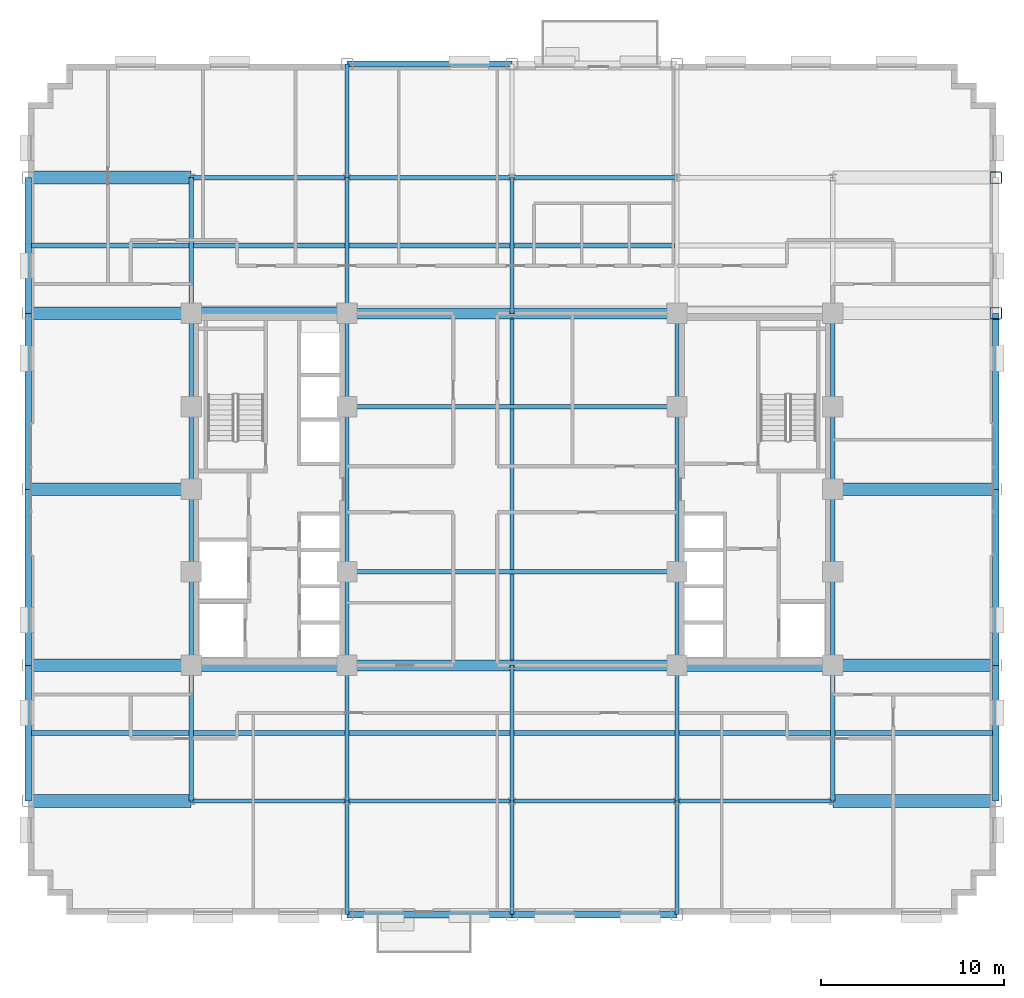
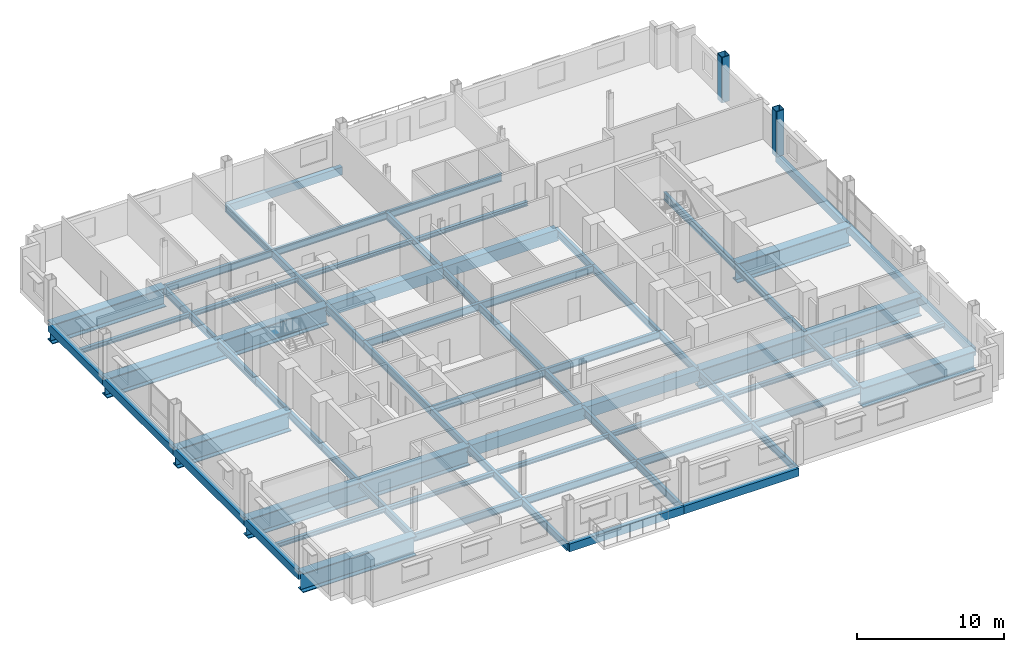
# One storey, part 4 of 16: 68 beams, 2 columns.
"""IFC4 building model written with IfcOpenShell, lengths in metres."""

import ifcopenshell
import ifcopenshell.guid

model = None  # the IFC model being written
_history = None  # IfcOwnerHistory: only IFC2X3 demands one
_inside = {}  # id of a spatial element -> (the spatial element, [elements in it])
_under = {}  # id of a project, library or spatial element -> (it, [spatial elements below it])
_declared = {}  # id of a project -> (the project, [libraries it declares])
_typed = {}  # id of a type object -> (the type object, [elements of that type])
_made_of = {}  # id of a material, layer set ... -> (it, [elements and type objects made of it])


def new_model(schema):
    """Start an empty IFC model of exactly this schema.

    Asked for "IFC4X3", IfcOpenShell would pick the latest addendum, in which some entities
    have other attributes; the version numbers below select the first issue.
    IFC2X3 requires an IfcOwnerHistory on every rooted entity: one is made here for all.
    """
    global model, _history
    if schema == "IFC4X3":
        model = ifcopenshell.file(schema_version=(4, 3, 0, 0))
    else:
        model = ifcopenshell.file(schema=schema)
    _inside.clear()
    _under.clear()
    _declared.clear()
    _typed.clear()
    _made_of.clear()
    _history = None
    if model.schema == "IFC2X3":
        org = make("IfcOrganization", Name="unknown")
        user = make(
            "IfcPersonAndOrganization",
            ThePerson=make("IfcPerson", FamilyName="unknown"),
            TheOrganization=org,
        )
        app = make(
            "IfcApplication",
            ApplicationDeveloper=org,
            Version="unknown",
            ApplicationFullName="unknown",
            ApplicationIdentifier="unknown",
        )
        _history = make(
            "IfcOwnerHistory",
            OwningUser=user,
            OwningApplication=app,
            ChangeAction="ADDED",
            CreationDate=0,
        )
    return model


def make(cls, **values):
    """One entity of the class cls with the attributes given. An attribute that is None is left unset."""
    return model.create_entity(
        cls, **{name: value for name, value in values.items() if value is not None}
    )


def rooted(cls, **values):
    """An entity with a GlobalId (a new one), such as an element, a storey or a relation."""
    return make(cls, GlobalId=ifcopenshell.guid.new(), OwnerHistory=_history, **values)


def si_unit(unit_type, name, prefix=None):
    """IfcSIUnit, for example si_unit("LENGTHUNIT", "METRE", prefix="MILLI")."""
    return make("IfcSIUnit", UnitType=unit_type, Prefix=prefix, Name=name)


def assignment(units):
    """IfcUnitAssignment: the units of a project."""
    return None if units is None else make("IfcUnitAssignment", Units=units)


def point(xyz):
    """IfcCartesianPoint."""
    return None if xyz is None else make("IfcCartesianPoint", Coordinates=xyz)


def direction(xyz):
    """IfcDirection."""
    return None if xyz is None else make("IfcDirection", DirectionRatios=xyz)


def frame(location, z_axis=None, x_axis=None):
    """IfcAxis2Placement3D, a coordinate frame: its origin and axes. An axis left out is left unset."""
    return make(
        "IfcAxis2Placement3D",
        Location=point(location),
        Axis=direction(z_axis),
        RefDirection=direction(x_axis),
    )


def frame_2d(location, x_axis=None):
    """IfcAxis2Placement2D, a coordinate frame in the plane: its origin and x axis."""
    return make(
        "IfcAxis2Placement2D", Location=point(location), RefDirection=direction(x_axis)
    )


def origin():
    """The frame at (0, 0, 0) with its axes left unset."""
    return frame((0.0, 0.0, 0.0))


def origin_2d():
    """The frame at (0, 0) in the plane with its x axis left unset."""
    return frame_2d((0.0, 0.0))


def place(relative_to, where):
    """IfcLocalPlacement: puts the frame where relative to a parent placement (None: the world)."""
    return make(
        "IfcLocalPlacement", PlacementRelTo=relative_to, RelativePlacement=where
    )


def context(
    kind, dimensions, precision=None, world=None, true_north=None, identifier=None
):
    """IfcGeometricRepresentationContext, for example the 3D "Model" context."""
    return make(
        "IfcGeometricRepresentationContext",
        ContextIdentifier=identifier,
        ContextType=kind,
        CoordinateSpaceDimension=dimensions,
        Precision=precision,
        WorldCoordinateSystem=world,
        TrueNorth=true_north,
    )


def subcontext(parent, identifier, kind, view, scale=None):
    """IfcGeometricRepresentationSubContext, for example "Body" below "Model"."""
    return make(
        "IfcGeometricRepresentationSubContext",
        ContextIdentifier=identifier,
        ContextType=kind,
        ParentContext=parent,
        TargetScale=scale,
        TargetView=view,
    )


def project(units=None, contexts=None):
    """IfcProject with its units and contexts."""
    return rooted(
        "IfcProject",
        Name="project",
        RepresentationContexts=contexts,
        UnitsInContext=assignment(units),
    )


def spatial(cls, under=None, at=None, **own):
    """A site, building, storey or space (cls), placed at a placement, below another one or the project."""
    s = rooted(cls, ObjectPlacement=at, **own)
    if under is not None:
        _under.setdefault(under.id(), (under, []))[1].append(s)
    return s


def profile(cls, at=None, kind="AREA", **sizes):
    """A parametric profile (cls). Its sizes go by their IFC names, for example OverallWidth=200.0."""
    return make(cls, ProfileType=kind, Position=at, **sizes)


def rectangle(**sizes):
    """IfcRectangleProfileDef."""
    return profile("IfcRectangleProfileDef", **sizes)


def hollow_rectangle(**sizes):
    """IfcRectangleHollowProfileDef."""
    return profile("IfcRectangleHollowProfileDef", **sizes)


def i_section(**sizes):
    """IfcIShapeProfileDef."""
    return profile("IfcIShapeProfileDef", **sizes)


def extrude(swept, where, along, depth):
    """IfcExtrudedAreaSolid: the profile swept, set in the frame where, extruded along a direction by depth."""
    return make(
        "IfcExtrudedAreaSolid",
        SweptArea=swept,
        Position=where,
        ExtrudedDirection=direction(along),
        Depth=depth,
    )


def shape(context_of_items, identifier, shape_type, items):
    """IfcShapeRepresentation: the items that make up one representation, for example the "Body"."""
    return make(
        "IfcShapeRepresentation",
        ContextOfItems=context_of_items,
        RepresentationIdentifier=identifier,
        RepresentationType=shape_type,
        Items=items,
    )


def material(Name=None, Category=None):
    """IfcMaterial."""
    return make("IfcMaterial", Name=Name, Category=Category)


def material_profile(
    of_material, cross_section, Name=None, Category=None, Priority=None
):
    """IfcMaterialProfile: a cross section and its material."""
    return make(
        "IfcMaterialProfile",
        Name=Name,
        Material=of_material,
        Profile=cross_section,
        Priority=Priority,
        Category=Category,
    )


def profile_set(profiles, Name=None, composite=None):
    """IfcMaterialProfileSet."""
    return make(
        "IfcMaterialProfileSet",
        Name=Name,
        MaterialProfiles=profiles,
        CompositeProfile=composite,
    )


def made_of(thing, what):
    """Note that an element or type object is made of a material, layer set ...; save() writes the relation."""
    if what is not None:
        _made_of.setdefault(what.id(), (what, []))[1].append(thing)
    return thing


def type_object(cls, material=None, **own):
    """A type object (cls), such as IfcWallType, which elements share."""
    return made_of(rooted(cls, **own), material)


def element(
    cls,
    number,
    at=None,
    inside=None,
    cuts=None,
    type_object=None,
    material=None,
    context=None,
    identifier="Body",
    shape_type=None,
    held_by="IfcProductDefinitionShape",
    body=None,
    shapes=None,
    **own,
):
    """One element of the class cls, such as IfcWall. Its Tag is "e" and its number.

    at: its placement. inside: the storey or other place that contains it. cuts: it is an
    opening in that element (IfcRelVoidsElement). A single representation is given by context,
    identifier, shape_type and body (its items); several are given by shapes. held_by: the class
    of the entity that holds the representations. save() writes the other relations.
    """
    e = rooted(cls, Tag="e%d" % number, ObjectPlacement=at, **own)
    if body is not None:
        shapes = [shape(context, identifier, shape_type, body)]
    if shapes is not None:
        e.Representation = make(held_by, Representations=shapes)
    if inside is not None:
        _inside.setdefault(inside.id(), (inside, []))[1].append(e)
    if cuts is not None:
        rooted(
            "IfcRelVoidsElement", RelatingBuildingElement=cuts, RelatedOpeningElement=e
        )
    if type_object is not None:
        _typed.setdefault(type_object.id(), (type_object, []))[1].append(e)
    return made_of(e, material)


def aggregate(whole, parts):
    """IfcRelAggregates: a whole, such as a stair, and the parts it consists of."""
    return rooted("IfcRelAggregates", RelatingObject=whole, RelatedObjects=parts)


def save(model, path):
    """Write the relations noted so far, then the file.

    IfcRelAggregates (storeys below a building ...), IfcRelContainedInSpatialStructure (elements
    in a storey), IfcRelDefinesByType, IfcRelAssociatesMaterial and IfcRelDeclares: one each for
    every whole, place, type object, material and project.
    """
    for whole, parts in _under.values():
        aggregate(whole, parts)
    for where, things in _inside.values():
        rooted(
            "IfcRelContainedInSpatialStructure",
            RelatedElements=things,
            RelatingStructure=where,
        )
    for kind, things in _typed.values():
        rooted("IfcRelDefinesByType", RelatedObjects=things, RelatingType=kind)
    for what, things in _made_of.values():
        rooted("IfcRelAssociatesMaterial", RelatedObjects=things, RelatingMaterial=what)
    for by, libraries in _declared.values():
        rooted("IfcRelDeclares", RelatingContext=by, RelatedDefinitions=libraries)
    model.write(path)


model = new_model("IFC4")

# Units and contexts
model_context = context("Model", 3, precision=1e-05, world=origin(), true_north=direction((0.0, 1.0)))
body_context = subcontext(model_context, "Body", "Model", "MODEL_VIEW")
ifc_project = project(units=[si_unit("LENGTHUNIT", "METRE"), si_unit("AREAUNIT", "SQUARE_METRE"), si_unit("VOLUMEUNIT", "CUBIC_METRE"), si_unit("PLANEANGLEUNIT", "RADIAN"), si_unit("MASSUNIT", "GRAM", prefix="KILO")], contexts=[model_context])

# Site, building, storey
site_placement = place(None, origin())
site = spatial("IfcSite", under=ifc_project, at=site_placement, CompositionType="ELEMENT")
building_placement = place(site_placement, origin())
building = spatial("IfcBuilding", under=site, at=building_placement, Name="Nuvemarco Arch Tower", CompositionType="ELEMENT")
storey_placement = place(building_placement, frame((0.0, 0.0, 116.550048828125)))
storey = spatial("IfcBuildingStorey", under=building, at=storey_placement, Name="L30", CompositionType="ELEMENT", Elevation=116.550048828125)

# Columns
ifc_material_1 = material(Name="Steel S355", Category="steel")
ifc_material_profile_1 = material_profile(ifc_material_1, hollow_rectangle(XDim=0.64990234375, YDim=0.64990234375, WallThickness=0.0400390625, InnerFilletRadius=0.0400390625, OuterFilletRadius=0.080078125, at=origin_2d()), Name="SHS650x650x40")
ifc_profile_set_1 = profile_set([ifc_material_profile_1], Name="Steel S355")
column_type = type_object("IfcColumnType", Name="COL-EXO-650", PredefinedType="COLUMN", material=ifc_profile_set_1)
for number, where, z_axis, x_axis, name in (
    (1, (26.39990234375, 9.60009765625, -0.400146484375), (0.0, 0.0, 1.0), (1.0, 0.0, 0.0), "L30 column CX_+26.4_+9.6"),
    (2, (26.39990234375, 17.0, -0.400146484375), (0.0, 0.0, 1.0), (1.0, 0.0, 0.0), "L30 column CX_+26.4_+17.0"),
):
    element("IfcColumn", number, at=place(storey_placement, frame(where, z_axis=z_axis, x_axis=x_axis)), inside=storey, type_object=column_type, Name=name, PredefinedType="COLUMN", context=body_context, shape_type="SweptSolid", body=[
        extrude(hollow_rectangle(XDim=0.64990234375, YDim=0.64990234375, WallThickness=0.0400390625, InnerFilletRadius=0.0400390625, OuterFilletRadius=0.080078125, at=origin_2d()), origin(), (0.0, 0.0, 1.0), 3.77001953125),
    ])

# Beams
ifc_material_2 = material(Name="Concrete C60/75", Category="concrete")
ifc_material_profile_2 = material_profile(ifc_material_2, rectangle(XDim=0.60009765625, YDim=0.949951171875, at=origin_2d()), Name="RC-BM-600x950")
ifc_profile_set_2 = profile_set([ifc_material_profile_2], Name="Concrete C60/75")
beam_type_1 = type_object("IfcBeamType", Name="BM-COUP-RC", PredefinedType="LINTEL", material=ifc_profile_set_2)
for number, where, z_axis, x_axis, name in (
    (3, (-9.0, -9.60009765625, -0.875), (1.0, 0.0, 0.0), (0.0, 1.0, 0.0), "L30 structural beam BGEW_L30_0_-9.6_-9.0"),
    (4, (0.0, -9.60009765625, -0.875), (1.0, 0.0, 0.0), (0.0, 1.0, 0.0), "L30 structural beam BGEW_L30_0_-9.6_+0.0"),
    (5, (-9.0, 9.60009765625, -0.875), (1.0, 0.0, 0.0), (0.0, 1.0, 0.0), "L30 structural beam BGEW_L30_0_+9.6_-9.0"),
    (6, (0.0, 9.60009765625, -0.875), (1.0, 0.0, 0.0), (0.0, 1.0, 0.0), "L30 structural beam BGEW_L30_0_+9.6_+0.0"),
):
    element("IfcBeam", number, at=place(storey_placement, frame(where, z_axis=z_axis, x_axis=x_axis)), inside=storey, type_object=beam_type_1, Name=name, PredefinedType="LINTEL", context=body_context, shape_type="SweptSolid", body=[
        extrude(rectangle(XDim=0.60009765625, YDim=0.949951171875, at=origin_2d()), origin(), (0.0, 0.0, 1.0), 9.0),
    ])
ifc_material_profile_3 = material_profile(ifc_material_1, i_section(OverallWidth=0.22998046875, OverallDepth=0.616943359375, WebThickness=0.01318359375, FlangeThickness=0.022216796875, FilletRadius=0.01611328125, at=origin_2d()), Name="W610x140")
ifc_profile_set_3 = profile_set([ifc_material_profile_3], Name="Steel S355")
beam_type_2 = type_object("IfcBeamType", Name="BM-GIRD-610", PredefinedType="BEAM", material=ifc_profile_set_3)
beam_1_placement = place(storey_placement, frame((-17.5, -17.0, -0.70849609375), z_axis=(0.0, 1.0, 0.0), x_axis=(-1.0, 0.0, 0.0)))
element("IfcBeam", 7, at=beam_1_placement, inside=storey, type_object=beam_type_2, Name="L30 structural beam BGNS_L30_0_-17.5_-17.0", PredefinedType="BEAM", context=body_context, shape_type="SweptSolid", body=[
    extrude(i_section(OverallWidth=0.22998046875, OverallDepth=0.616943359375, WebThickness=0.01318359375, FlangeThickness=0.022216796875, FilletRadius=0.01611328125, at=origin_2d()), origin(), (0.0, 0.0, 1.0), 7.39990234375),
])
beam_2_placement = place(storey_placement, frame((-17.5, -9.60009765625, -0.70849609375), z_axis=(0.0, 1.0, 0.0), x_axis=(-1.0, 0.0, 0.0)))
element("IfcBeam", 8, at=beam_2_placement, inside=storey, type_object=beam_type_2, Name="L30 structural beam BGNS_L30_0_-17.5_-9.6", PredefinedType="BEAM", context=body_context, shape_type="SweptSolid", body=[
    extrude(i_section(OverallWidth=0.22998046875, OverallDepth=0.616943359375, WebThickness=0.01318359375, FlangeThickness=0.022216796875, FilletRadius=0.01611328125, at=origin_2d()), origin(), (0.0, 0.0, 1.0), 5.10009765625),
])
for number, where, z_axis, x_axis, name in (
    (9, (-17.5, -4.5, -0.70849609375), (0.0, 1.0, 0.0), (-1.0, 0.0, 0.0), "L30 structural beam BGNS_L30_0_-17.5_-4.5"),
    (10, (-17.5, 0.0, -0.70849609375), (0.0, 1.0, 0.0), (-1.0, 0.0, 0.0), "L30 structural beam BGNS_L30_0_-17.5_+0.0"),
):
    element("IfcBeam", number, at=place(storey_placement, frame(where, z_axis=z_axis, x_axis=x_axis)), inside=storey, type_object=beam_type_2, Name=name, PredefinedType="BEAM", context=body_context, shape_type="SweptSolid", body=[
        extrude(i_section(OverallWidth=0.22998046875, OverallDepth=0.616943359375, WebThickness=0.01318359375, FlangeThickness=0.022216796875, FilletRadius=0.01611328125, at=origin_2d()), origin(), (0.0, 0.0, 1.0), 4.5),
    ])
beam_3_placement = place(storey_placement, frame((-17.5, 4.5, -0.70849609375), z_axis=(0.0, 1.0, 0.0), x_axis=(-1.0, 0.0, 0.0)))
element("IfcBeam", 11, at=beam_3_placement, inside=storey, type_object=beam_type_2, Name="L30 structural beam BGNS_L30_0_-17.5_+4.5", PredefinedType="BEAM", context=body_context, shape_type="SweptSolid", body=[
    extrude(i_section(OverallWidth=0.22998046875, OverallDepth=0.616943359375, WebThickness=0.01318359375, FlangeThickness=0.022216796875, FilletRadius=0.01611328125, at=origin_2d()), origin(), (0.0, 0.0, 1.0), 5.10009765625),
])
beam_4_placement = place(storey_placement, frame((-17.5, 9.60009765625, -0.70849609375), z_axis=(0.0, 1.0, 0.0), x_axis=(-1.0, 0.0, 0.0)))
element("IfcBeam", 12, at=beam_4_placement, inside=storey, type_object=beam_type_2, Name="L30 structural beam BGNS_L30_0_-17.5_+9.6", PredefinedType="BEAM", context=body_context, shape_type="SweptSolid", body=[
    extrude(i_section(OverallWidth=0.22998046875, OverallDepth=0.616943359375, WebThickness=0.01318359375, FlangeThickness=0.022216796875, FilletRadius=0.01611328125, at=origin_2d()), origin(), (0.0, 0.0, 1.0), 7.39990234375),
])
beam_5_placement = place(storey_placement, frame((-9.0, -23.199951171875, -0.70849609375), z_axis=(0.0, 1.0, 0.0), x_axis=(-1.0, 0.0, 0.0)))
element("IfcBeam", 13, at=beam_5_placement, inside=storey, type_object=beam_type_2, Name="L30 structural beam BGNS_L30_0_-9.0_-23.2", PredefinedType="BEAM", context=body_context, shape_type="SweptSolid", body=[
    extrude(i_section(OverallWidth=0.22998046875, OverallDepth=0.616943359375, WebThickness=0.01318359375, FlangeThickness=0.022216796875, FilletRadius=0.01611328125, at=origin_2d()), origin(), (0.0, 0.0, 1.0), 6.199951171875),
])
beam_6_placement = place(storey_placement, frame((-9.0, -17.0, -0.70849609375), z_axis=(0.0, 1.0, 0.0), x_axis=(-1.0, 0.0, 0.0)))
element("IfcBeam", 14, at=beam_6_placement, inside=storey, type_object=beam_type_2, Name="L30 structural beam BGNS_L30_0_-9.0_-17.0", PredefinedType="BEAM", context=body_context, shape_type="SweptSolid", body=[
    extrude(i_section(OverallWidth=0.22998046875, OverallDepth=0.616943359375, WebThickness=0.01318359375, FlangeThickness=0.022216796875, FilletRadius=0.01611328125, at=origin_2d()), origin(), (0.0, 0.0, 1.0), 7.39990234375),
])
beam_7_placement = place(storey_placement, frame((-9.0, -9.60009765625, -0.70849609375), z_axis=(0.0, 1.0, 0.0), x_axis=(-1.0, 0.0, 0.0)))
element("IfcBeam", 15, at=beam_7_placement, inside=storey, type_object=beam_type_2, Name="L30 structural beam BGNS_L30_0_-9.0_-9.6", PredefinedType="BEAM", context=body_context, shape_type="SweptSolid", body=[
    extrude(i_section(OverallWidth=0.22998046875, OverallDepth=0.616943359375, WebThickness=0.01318359375, FlangeThickness=0.022216796875, FilletRadius=0.01611328125, at=origin_2d()), origin(), (0.0, 0.0, 1.0), 5.10009765625),
])
beam_8_placement = place(storey_placement, frame((-9.0, -4.5, -0.70849609375), z_axis=(0.0, 1.0, 0.0), x_axis=(-1.0, 0.0, 0.0)))
element("IfcBeam", 16, at=beam_8_placement, inside=storey, type_object=beam_type_2, Name="L30 structural beam BGNS_L30_0_-9.0_-4.5", PredefinedType="BEAM", context=body_context, shape_type="SweptSolid", body=[
    extrude(i_section(OverallWidth=0.22998046875, OverallDepth=0.616943359375, WebThickness=0.01318359375, FlangeThickness=0.022216796875, FilletRadius=0.01611328125, at=origin_2d()), origin(), (0.0, 0.0, 1.0), 9.0),
])
beam_9_placement = place(storey_placement, frame((-9.0, 4.5, -0.70849609375), z_axis=(0.0, 1.0, 0.0), x_axis=(-1.0, 0.0, 0.0)))
element("IfcBeam", 17, at=beam_9_placement, inside=storey, type_object=beam_type_2, Name="L30 structural beam BGNS_L30_0_-9.0_+4.5", PredefinedType="BEAM", context=body_context, shape_type="SweptSolid", body=[
    extrude(i_section(OverallWidth=0.22998046875, OverallDepth=0.616943359375, WebThickness=0.01318359375, FlangeThickness=0.022216796875, FilletRadius=0.01611328125, at=origin_2d()), origin(), (0.0, 0.0, 1.0), 5.10009765625),
])
beam_10_placement = place(storey_placement, frame((-9.0, 9.60009765625, -0.70849609375), z_axis=(0.0, 1.0, 0.0), x_axis=(-1.0, 0.0, 0.0)))
element("IfcBeam", 18, at=beam_10_placement, inside=storey, type_object=beam_type_2, Name="L30 structural beam BGNS_L30_0_-9.0_+9.6", PredefinedType="BEAM", context=body_context, shape_type="SweptSolid", body=[
    extrude(i_section(OverallWidth=0.22998046875, OverallDepth=0.616943359375, WebThickness=0.01318359375, FlangeThickness=0.022216796875, FilletRadius=0.01611328125, at=origin_2d()), origin(), (0.0, 0.0, 1.0), 7.39990234375),
])
for number, where, z_axis, x_axis, name in (
    (19, (-9.0, 17.0, -0.70849609375), (0.0, 1.0, 0.0), (-1.0, 0.0, 0.0), "L30 structural beam BGNS_L30_0_-9.0_+17.0"),
    (20, (0.0, -23.199951171875, -0.70849609375), (0.0, 1.0, 0.0), (-1.0, 0.0, 0.0), "L30 structural beam BGNS_L30_0_+0.0_-23.2"),
):
    element("IfcBeam", number, at=place(storey_placement, frame(where, z_axis=z_axis, x_axis=x_axis)), inside=storey, type_object=beam_type_2, Name=name, PredefinedType="BEAM", context=body_context, shape_type="SweptSolid", body=[
        extrude(i_section(OverallWidth=0.22998046875, OverallDepth=0.616943359375, WebThickness=0.01318359375, FlangeThickness=0.022216796875, FilletRadius=0.01611328125, at=origin_2d()), origin(), (0.0, 0.0, 1.0), 6.199951171875),
    ])
beam_11_placement = place(storey_placement, frame((0.0, -17.0, -0.70849609375), z_axis=(0.0, 1.0, 0.0), x_axis=(-1.0, 0.0, 0.0)))
element("IfcBeam", 21, at=beam_11_placement, inside=storey, type_object=beam_type_2, Name="L30 structural beam BGNS_L30_0_+0.0_-17.0", PredefinedType="BEAM", context=body_context, shape_type="SweptSolid", body=[
    extrude(i_section(OverallWidth=0.22998046875, OverallDepth=0.616943359375, WebThickness=0.01318359375, FlangeThickness=0.022216796875, FilletRadius=0.01611328125, at=origin_2d()), origin(), (0.0, 0.0, 1.0), 7.39990234375),
])
beam_12_placement = place(storey_placement, frame((0.0, -9.60009765625, -0.70849609375), z_axis=(0.0, 1.0, 0.0), x_axis=(-1.0, 0.0, 0.0)))
element("IfcBeam", 22, at=beam_12_placement, inside=storey, type_object=beam_type_2, Name="L30 structural beam BGNS_L30_0_+0.0_-9.6", PredefinedType="BEAM", context=body_context, shape_type="SweptSolid", body=[
    extrude(i_section(OverallWidth=0.22998046875, OverallDepth=0.616943359375, WebThickness=0.01318359375, FlangeThickness=0.022216796875, FilletRadius=0.01611328125, at=origin_2d()), origin(), (0.0, 0.0, 1.0), 19.2001953125),
])
beam_13_placement = place(storey_placement, frame((0.0, 9.60009765625, -0.70849609375), z_axis=(0.0, 1.0, 0.0), x_axis=(-1.0, 0.0, 0.0)))
element("IfcBeam", 23, at=beam_13_placement, inside=storey, type_object=beam_type_2, Name="L30 structural beam BGNS_L30_0_+0.0_+9.6", PredefinedType="BEAM", context=body_context, shape_type="SweptSolid", body=[
    extrude(i_section(OverallWidth=0.22998046875, OverallDepth=0.616943359375, WebThickness=0.01318359375, FlangeThickness=0.022216796875, FilletRadius=0.01611328125, at=origin_2d()), origin(), (0.0, 0.0, 1.0), 7.39990234375),
])
beam_14_placement = place(storey_placement, frame((9.0, -23.199951171875, -0.70849609375), z_axis=(0.0, 1.0, 0.0), x_axis=(-1.0, 0.0, 0.0)))
element("IfcBeam", 24, at=beam_14_placement, inside=storey, type_object=beam_type_2, Name="L30 structural beam BGNS_L30_0_+9.0_-23.2", PredefinedType="BEAM", context=body_context, shape_type="SweptSolid", body=[
    extrude(i_section(OverallWidth=0.22998046875, OverallDepth=0.616943359375, WebThickness=0.01318359375, FlangeThickness=0.022216796875, FilletRadius=0.01611328125, at=origin_2d()), origin(), (0.0, 0.0, 1.0), 6.199951171875),
])
beam_15_placement = place(storey_placement, frame((9.0, -17.0, -0.70849609375), z_axis=(0.0, 1.0, 0.0), x_axis=(-1.0, 0.0, 0.0)))
element("IfcBeam", 25, at=beam_15_placement, inside=storey, type_object=beam_type_2, Name="L30 structural beam BGNS_L30_0_+9.0_-17.0", PredefinedType="BEAM", context=body_context, shape_type="SweptSolid", body=[
    extrude(i_section(OverallWidth=0.22998046875, OverallDepth=0.616943359375, WebThickness=0.01318359375, FlangeThickness=0.022216796875, FilletRadius=0.01611328125, at=origin_2d()), origin(), (0.0, 0.0, 1.0), 7.39990234375),
])
beam_16_placement = place(storey_placement, frame((9.0, -9.60009765625, -0.70849609375), z_axis=(0.0, 1.0, 0.0), x_axis=(-1.0, 0.0, 0.0)))
element("IfcBeam", 26, at=beam_16_placement, inside=storey, type_object=beam_type_2, Name="L30 structural beam BGNS_L30_0_+9.0_-9.6", PredefinedType="BEAM", context=body_context, shape_type="SweptSolid", body=[
    extrude(i_section(OverallWidth=0.22998046875, OverallDepth=0.616943359375, WebThickness=0.01318359375, FlangeThickness=0.022216796875, FilletRadius=0.01611328125, at=origin_2d()), origin(), (0.0, 0.0, 1.0), 5.10009765625),
])
beam_17_placement = place(storey_placement, frame((9.0, -4.5, -0.70849609375), z_axis=(0.0, 1.0, 0.0), x_axis=(-1.0, 0.0, 0.0)))
element("IfcBeam", 27, at=beam_17_placement, inside=storey, type_object=beam_type_2, Name="L30 structural beam BGNS_L30_0_+9.0_-4.5", PredefinedType="BEAM", context=body_context, shape_type="SweptSolid", body=[
    extrude(i_section(OverallWidth=0.22998046875, OverallDepth=0.616943359375, WebThickness=0.01318359375, FlangeThickness=0.022216796875, FilletRadius=0.01611328125, at=origin_2d()), origin(), (0.0, 0.0, 1.0), 9.0),
])
beam_18_placement = place(storey_placement, frame((9.0, 4.5, -0.70849609375), z_axis=(0.0, 1.0, 0.0), x_axis=(-1.0, 0.0, 0.0)))
element("IfcBeam", 28, at=beam_18_placement, inside=storey, type_object=beam_type_2, Name="L30 structural beam BGNS_L30_0_+9.0_+4.5", PredefinedType="BEAM", context=body_context, shape_type="SweptSolid", body=[
    extrude(i_section(OverallWidth=0.22998046875, OverallDepth=0.616943359375, WebThickness=0.01318359375, FlangeThickness=0.022216796875, FilletRadius=0.01611328125, at=origin_2d()), origin(), (0.0, 0.0, 1.0), 5.10009765625),
])
beam_19_placement = place(storey_placement, frame((17.5, -17.0, -0.70849609375), z_axis=(0.0, 1.0, 0.0), x_axis=(-1.0, 0.0, 0.0)))
element("IfcBeam", 29, at=beam_19_placement, inside=storey, type_object=beam_type_2, Name="L30 structural beam BGNS_L30_0_+17.5_-17.0", PredefinedType="BEAM", context=body_context, shape_type="SweptSolid", body=[
    extrude(i_section(OverallWidth=0.22998046875, OverallDepth=0.616943359375, WebThickness=0.01318359375, FlangeThickness=0.022216796875, FilletRadius=0.01611328125, at=origin_2d()), origin(), (0.0, 0.0, 1.0), 7.39990234375),
])
beam_20_placement = place(storey_placement, frame((17.5, -9.60009765625, -0.70849609375), z_axis=(0.0, 1.0, 0.0), x_axis=(-1.0, 0.0, 0.0)))
element("IfcBeam", 30, at=beam_20_placement, inside=storey, type_object=beam_type_2, Name="L30 structural beam BGNS_L30_0_+17.5_-9.6", PredefinedType="BEAM", context=body_context, shape_type="SweptSolid", body=[
    extrude(i_section(OverallWidth=0.22998046875, OverallDepth=0.616943359375, WebThickness=0.01318359375, FlangeThickness=0.022216796875, FilletRadius=0.01611328125, at=origin_2d()), origin(), (0.0, 0.0, 1.0), 5.10009765625),
])
for number, where, z_axis, x_axis, name in (
    (31, (17.5, -4.5, -0.70849609375), (0.0, 1.0, 0.0), (-1.0, 0.0, 0.0), "L30 structural beam BGNS_L30_0_+17.5_-4.5"),
    (32, (17.5, 0.0, -0.70849609375), (0.0, 1.0, 0.0), (-1.0, 0.0, 0.0), "L30 structural beam BGNS_L30_0_+17.5_+0.0"),
):
    element("IfcBeam", number, at=place(storey_placement, frame(where, z_axis=z_axis, x_axis=x_axis)), inside=storey, type_object=beam_type_2, Name=name, PredefinedType="BEAM", context=body_context, shape_type="SweptSolid", body=[
        extrude(i_section(OverallWidth=0.22998046875, OverallDepth=0.616943359375, WebThickness=0.01318359375, FlangeThickness=0.022216796875, FilletRadius=0.01611328125, at=origin_2d()), origin(), (0.0, 0.0, 1.0), 4.5),
    ])
beam_21_placement = place(storey_placement, frame((17.5, 4.5, -0.70849609375), z_axis=(0.0, 1.0, 0.0), x_axis=(-1.0, 0.0, 0.0)))
element("IfcBeam", 33, at=beam_21_placement, inside=storey, type_object=beam_type_2, Name="L30 structural beam BGNS_L30_0_+17.5_+4.5", PredefinedType="BEAM", context=body_context, shape_type="SweptSolid", body=[
    extrude(i_section(OverallWidth=0.22998046875, OverallDepth=0.616943359375, WebThickness=0.01318359375, FlangeThickness=0.022216796875, FilletRadius=0.01611328125, at=origin_2d()), origin(), (0.0, 0.0, 1.0), 5.10009765625),
])
beam_22_placement = place(storey_placement, frame((-17.5, -17.0, -0.70849609375), z_axis=(1.0, 0.0, 0.0), x_axis=(0.0, 1.0, 0.0)))
element("IfcBeam", 34, at=beam_22_placement, inside=storey, type_object=beam_type_2, Name="L30 structural beam BGEW_L30_0_-17.0_-17.5", PredefinedType="BEAM", context=body_context, shape_type="SweptSolid", body=[
    extrude(i_section(OverallWidth=0.22998046875, OverallDepth=0.616943359375, WebThickness=0.01318359375, FlangeThickness=0.022216796875, FilletRadius=0.01611328125, at=origin_2d()), origin(), (0.0, 0.0, 1.0), 8.5),
])
for number, where, z_axis, x_axis, name in (
    (35, (-9.0, -17.0, -0.70849609375), (1.0, 0.0, 0.0), (0.0, 1.0, 0.0), "L30 structural beam BGEW_L30_0_-17.0_-9.0"),
    (36, (0.0, -17.0, -0.70849609375), (1.0, 0.0, 0.0), (0.0, 1.0, 0.0), "L30 structural beam BGEW_L30_0_-17.0_+0.0"),
):
    element("IfcBeam", number, at=place(storey_placement, frame(where, z_axis=z_axis, x_axis=x_axis)), inside=storey, type_object=beam_type_2, Name=name, PredefinedType="BEAM", context=body_context, shape_type="SweptSolid", body=[
        extrude(i_section(OverallWidth=0.22998046875, OverallDepth=0.616943359375, WebThickness=0.01318359375, FlangeThickness=0.022216796875, FilletRadius=0.01611328125, at=origin_2d()), origin(), (0.0, 0.0, 1.0), 9.0),
    ])
beam_23_placement = place(storey_placement, frame((9.0, -17.0, -0.70849609375), z_axis=(1.0, 0.0, 0.0), x_axis=(0.0, 1.0, 0.0)))
element("IfcBeam", 37, at=beam_23_placement, inside=storey, type_object=beam_type_2, Name="L30 structural beam BGEW_L30_0_-17.0_+9.0", PredefinedType="BEAM", context=body_context, shape_type="SweptSolid", body=[
    extrude(i_section(OverallWidth=0.22998046875, OverallDepth=0.616943359375, WebThickness=0.01318359375, FlangeThickness=0.022216796875, FilletRadius=0.01611328125, at=origin_2d()), origin(), (0.0, 0.0, 1.0), 8.5),
])
for number, where, z_axis, x_axis, name in (
    (38, (-9.0, -4.5, -0.70849609375), (1.0, 0.0, 0.0), (0.0, 1.0, 0.0), "L30 structural beam BGEW_L30_0_-4.5_-9.0"),
    (39, (-9.0, 4.5, -0.70849609375), (1.0, 0.0, 0.0), (0.0, 1.0, 0.0), "L30 structural beam BGEW_L30_0_+4.5_-9.0"),
):
    element("IfcBeam", number, at=place(storey_placement, frame(where, z_axis=z_axis, x_axis=x_axis)), inside=storey, type_object=beam_type_2, Name=name, PredefinedType="BEAM", context=body_context, shape_type="SweptSolid", body=[
        extrude(i_section(OverallWidth=0.22998046875, OverallDepth=0.616943359375, WebThickness=0.01318359375, FlangeThickness=0.022216796875, FilletRadius=0.01611328125, at=origin_2d()), origin(), (0.0, 0.0, 1.0), 18.0),
    ])
beam_24_placement = place(storey_placement, frame((-17.5, 17.0, -0.70849609375), z_axis=(1.0, 0.0, 0.0), x_axis=(0.0, 1.0, 0.0)))
element("IfcBeam", 40, at=beam_24_placement, inside=storey, type_object=beam_type_2, Name="L30 structural beam BGEW_L30_0_+17.0_-17.5", PredefinedType="BEAM", context=body_context, shape_type="SweptSolid", body=[
    extrude(i_section(OverallWidth=0.22998046875, OverallDepth=0.616943359375, WebThickness=0.01318359375, FlangeThickness=0.022216796875, FilletRadius=0.01611328125, at=origin_2d()), origin(), (0.0, 0.0, 1.0), 8.5),
])
for number, where, z_axis, x_axis, name in (
    (41, (-9.0, 17.0, -0.70849609375), (1.0, 0.0, 0.0), (0.0, 1.0, 0.0), "L30 structural beam BGEW_L30_0_+17.0_-9.0"),
    (42, (0.0, 17.0, -0.70849609375), (1.0, 0.0, 0.0), (0.0, 1.0, 0.0), "L30 structural beam BGEW_L30_0_+17.0_+0.0"),
):
    element("IfcBeam", number, at=place(storey_placement, frame(where, z_axis=z_axis, x_axis=x_axis)), inside=storey, type_object=beam_type_2, Name=name, PredefinedType="BEAM", context=body_context, shape_type="SweptSolid", body=[
        extrude(i_section(OverallWidth=0.22998046875, OverallDepth=0.616943359375, WebThickness=0.01318359375, FlangeThickness=0.022216796875, FilletRadius=0.01611328125, at=origin_2d()), origin(), (0.0, 0.0, 1.0), 9.0),
    ])
ifc_material_profile_4 = material_profile(ifc_material_1, i_section(OverallWidth=0.2548828125, OverallDepth=0.35693359375, WebThickness=0.010498046875, FlangeThickness=0.018310546875, FilletRadius=0.014892578125, at=origin_2d()), Name="W360x101")
ifc_profile_set_4 = profile_set([ifc_material_profile_4], Name="Steel S355")
beam_type_3 = type_object("IfcBeamType", Name="BM-JOIST-360H", PredefinedType="JOIST", material=ifc_profile_set_4)
beam_25_placement = place(storey_placement, frame((-26.22509765625, -13.300048828125, -0.57861328125), z_axis=(1.0, 0.0, 0.0), x_axis=(0.0, 1.0, 0.0)))
element("IfcBeam", 43, at=beam_25_placement, inside=storey, type_object=beam_type_3, Name="L30 structural beam BJ_L30_0_-13.3_-26.4", PredefinedType="JOIST", context=body_context, shape_type="SweptSolid", body=[
    extrude(i_section(OverallWidth=0.2548828125, OverallDepth=0.35693359375, WebThickness=0.010498046875, FlangeThickness=0.018310546875, FilletRadius=0.014892578125, at=origin_2d()), origin(), (0.0, 0.0, 1.0), 8.610107421875),
])
beam_26_placement = place(storey_placement, frame((-17.385009765625, -13.300048828125, -0.57861328125), z_axis=(1.0, 0.0, 0.0), x_axis=(0.0, 1.0, 0.0)))
element("IfcBeam", 44, at=beam_26_placement, inside=storey, type_object=beam_type_3, Name="L30 structural beam BJ_L30_0_-13.3_-17.5", PredefinedType="JOIST", context=body_context, shape_type="SweptSolid", body=[
    extrude(i_section(OverallWidth=0.2548828125, OverallDepth=0.35693359375, WebThickness=0.010498046875, FlangeThickness=0.018310546875, FilletRadius=0.014892578125, at=origin_2d()), origin(), (0.0, 0.0, 1.0), 8.27001953125),
])
for number, where, z_axis, x_axis, name in (
    (45, (-8.885009765625, -13.300048828125, -0.57861328125), (1.0, 0.0, 0.0), (0.0, 1.0, 0.0), "L30 structural beam BJ_L30_0_-13.3_-9.0"),
    (46, (0.114990234375, -13.300048828125, -0.57861328125), (1.0, 0.0, 0.0), (0.0, 1.0, 0.0), "L30 structural beam BJ_L30_0_-13.3_+0.0"),
):
    element("IfcBeam", number, at=place(storey_placement, frame(where, z_axis=z_axis, x_axis=x_axis)), inside=storey, type_object=beam_type_3, Name=name, PredefinedType="JOIST", context=body_context, shape_type="SweptSolid", body=[
        extrude(i_section(OverallWidth=0.2548828125, OverallDepth=0.35693359375, WebThickness=0.010498046875, FlangeThickness=0.018310546875, FilletRadius=0.014892578125, at=origin_2d()), origin(), (0.0, 0.0, 1.0), 8.77001953125),
    ])
beam_27_placement = place(storey_placement, frame((9.114990234375, -13.300048828125, -0.57861328125), z_axis=(1.0, 0.0, 0.0), x_axis=(0.0, 1.0, 0.0)))
element("IfcBeam", 47, at=beam_27_placement, inside=storey, type_object=beam_type_3, Name="L30 structural beam BJ_L30_0_-13.3_+9.0", PredefinedType="JOIST", context=body_context, shape_type="SweptSolid", body=[
    extrude(i_section(OverallWidth=0.2548828125, OverallDepth=0.35693359375, WebThickness=0.010498046875, FlangeThickness=0.018310546875, FilletRadius=0.014892578125, at=origin_2d()), origin(), (0.0, 0.0, 1.0), 8.27001953125),
])
for number, where, z_axis, x_axis, name in (
    (48, (17.614990234375, -13.300048828125, -0.57861328125), (1.0, 0.0, 0.0), (0.0, 1.0, 0.0), "L30 structural beam BJ_L30_0_-13.3_+17.5"),
    (49, (-26.22509765625, 13.300048828125, -0.57861328125), (1.0, 0.0, 0.0), (0.0, 1.0, 0.0), "L30 structural beam BJ_L30_0_+13.3_-26.4"),
):
    element("IfcBeam", number, at=place(storey_placement, frame(where, z_axis=z_axis, x_axis=x_axis)), inside=storey, type_object=beam_type_3, Name=name, PredefinedType="JOIST", context=body_context, shape_type="SweptSolid", body=[
        extrude(i_section(OverallWidth=0.2548828125, OverallDepth=0.35693359375, WebThickness=0.010498046875, FlangeThickness=0.018310546875, FilletRadius=0.014892578125, at=origin_2d()), origin(), (0.0, 0.0, 1.0), 8.610107421875),
    ])
beam_28_placement = place(storey_placement, frame((-17.385009765625, 13.300048828125, -0.57861328125), z_axis=(1.0, 0.0, 0.0), x_axis=(0.0, 1.0, 0.0)))
element("IfcBeam", 50, at=beam_28_placement, inside=storey, type_object=beam_type_3, Name="L30 structural beam BJ_L30_0_+13.3_-17.5", PredefinedType="JOIST", context=body_context, shape_type="SweptSolid", body=[
    extrude(i_section(OverallWidth=0.2548828125, OverallDepth=0.35693359375, WebThickness=0.010498046875, FlangeThickness=0.018310546875, FilletRadius=0.014892578125, at=origin_2d()), origin(), (0.0, 0.0, 1.0), 8.27001953125),
])
for number, where, z_axis, x_axis, name in (
    (51, (-8.885009765625, 13.300048828125, -0.57861328125), (1.0, 0.0, 0.0), (0.0, 1.0, 0.0), "L30 structural beam BJ_L30_0_+13.3_-9.0"),
    (52, (0.114990234375, 13.300048828125, -0.57861328125), (1.0, 0.0, 0.0), (0.0, 1.0, 0.0), "L30 structural beam BJ_L30_0_+13.3_+0.0"),
):
    element("IfcBeam", number, at=place(storey_placement, frame(where, z_axis=z_axis, x_axis=x_axis)), inside=storey, type_object=beam_type_3, Name=name, PredefinedType="JOIST", context=body_context, shape_type="SweptSolid", body=[
        extrude(i_section(OverallWidth=0.2548828125, OverallDepth=0.35693359375, WebThickness=0.010498046875, FlangeThickness=0.018310546875, FilletRadius=0.014892578125, at=origin_2d()), origin(), (0.0, 0.0, 1.0), 8.77001953125),
    ])
ifc_material_3 = material(Name="Precast concrete C45/55", Category="concrete")
ifc_material_profile_5 = material_profile(ifc_material_3, rectangle(XDim=0.35009765625, YDim=0.64990234375, at=origin_2d()), Name="PC-SP-350x650")
ifc_profile_set_5 = profile_set([ifc_material_profile_5], Name="Precast concrete C45/55")
beam_type_4 = type_object("IfcBeamType", Name="BM-SPAN-RC", PredefinedType="SPANDREL", material=ifc_profile_set_5)
beam_29_placement = place(storey_placement, frame((-26.39990234375, -17.0, -0.72509765625), z_axis=(0.0, 1.0, 0.0), x_axis=(-1.0, 0.0, 0.0)))
element("IfcBeam", 53, at=beam_29_placement, inside=storey, type_object=beam_type_4, Name="L30 structural beam BGNS_L30_0_-26.4_-17.0", PredefinedType="SPANDREL", context=body_context, shape_type="SweptSolid", body=[
    extrude(rectangle(XDim=0.35009765625, YDim=0.64990234375, at=origin_2d()), origin(), (0.0, 0.0, 1.0), 7.39990234375),
])
for number, where, z_axis, x_axis, name in (
    (54, (-26.39990234375, -9.60009765625, -0.72509765625), (0.0, 1.0, 0.0), (-1.0, 0.0, 0.0), "L30 structural beam BGNS_L30_0_-26.4_-9.6"),
    (55, (-26.39990234375, 0.0, -0.72509765625), (0.0, 1.0, 0.0), (-1.0, 0.0, 0.0), "L30 structural beam BGNS_L30_0_-26.4_+0.0"),
):
    element("IfcBeam", number, at=place(storey_placement, frame(where, z_axis=z_axis, x_axis=x_axis)), inside=storey, type_object=beam_type_4, Name=name, PredefinedType="SPANDREL", context=body_context, shape_type="SweptSolid", body=[
        extrude(rectangle(XDim=0.35009765625, YDim=0.64990234375, at=origin_2d()), origin(), (0.0, 0.0, 1.0), 9.60009765625),
    ])
for number, where, z_axis, x_axis, name in (
    (56, (-26.39990234375, 9.60009765625, -0.72509765625), (0.0, 1.0, 0.0), (-1.0, 0.0, 0.0), "L30 structural beam BGNS_L30_0_-26.4_+9.6"),
    (57, (26.39990234375, -17.0, -0.72509765625), (0.0, 1.0, 0.0), (-1.0, 0.0, 0.0), "L30 structural beam BGNS_L30_0_+26.4_-17.0"),
):
    element("IfcBeam", number, at=place(storey_placement, frame(where, z_axis=z_axis, x_axis=x_axis)), inside=storey, type_object=beam_type_4, Name=name, PredefinedType="SPANDREL", context=body_context, shape_type="SweptSolid", body=[
        extrude(rectangle(XDim=0.35009765625, YDim=0.64990234375, at=origin_2d()), origin(), (0.0, 0.0, 1.0), 7.39990234375),
    ])
for number, where, z_axis, x_axis, name in (
    (58, (26.39990234375, -9.60009765625, -0.72509765625), (0.0, 1.0, 0.0), (-1.0, 0.0, 0.0), "L30 structural beam BGNS_L30_0_+26.4_-9.6"),
    (59, (26.39990234375, 0.0, -0.72509765625), (0.0, 1.0, 0.0), (-1.0, 0.0, 0.0), "L30 structural beam BGNS_L30_0_+26.4_+0.0"),
):
    element("IfcBeam", number, at=place(storey_placement, frame(where, z_axis=z_axis, x_axis=x_axis)), inside=storey, type_object=beam_type_4, Name=name, PredefinedType="SPANDREL", context=body_context, shape_type="SweptSolid", body=[
        extrude(rectangle(XDim=0.35009765625, YDim=0.64990234375, at=origin_2d()), origin(), (0.0, 0.0, 1.0), 9.60009765625),
    ])
for number, where, z_axis, x_axis, name in (
    (60, (-9.0, -23.199951171875, -0.72509765625), (1.0, 0.0, 0.0), (0.0, 1.0, 0.0), "L30 structural beam BGEW_L30_0_-23.2_-9.0"),
    (61, (0.0, -23.199951171875, -0.72509765625), (1.0, 0.0, 0.0), (0.0, 1.0, 0.0), "L30 structural beam BGEW_L30_0_-23.2_+0.0"),
    (62, (-9.0, 23.199951171875, -0.72509765625), (1.0, 0.0, 0.0), (0.0, 1.0, 0.0), "L30 structural beam BGEW_L30_0_+23.2_-9.0"),
):
    element("IfcBeam", number, at=place(storey_placement, frame(where, z_axis=z_axis, x_axis=x_axis)), inside=storey, type_object=beam_type_4, Name=name, PredefinedType="SPANDREL", context=body_context, shape_type="SweptSolid", body=[
        extrude(rectangle(XDim=0.35009765625, YDim=0.64990234375, at=origin_2d()), origin(), (0.0, 0.0, 1.0), 9.0),
    ])
ifc_material_4 = material(Name="Steel S460", Category="steel")
ifc_material_profile_6 = material_profile(ifc_material_4, i_section(OverallWidth=0.699951171875, OverallDepth=1.60009765625, WebThickness=0.035888671875, FlangeThickness=0.06494140625, FilletRadius=0.02392578125, at=origin_2d()), Name="PG1600x700")
ifc_profile_set_6 = profile_set([ifc_material_profile_6], Name="Steel S460")
beam_type_5 = type_object("IfcBeamType", Name="BM-TG-CANT3", PredefinedType="BEAM", material=ifc_profile_set_6)
for number, where, z_axis, x_axis, name in (
    (63, (-26.39990234375, -17.0, -1.199951171875), (1.0, 0.0, 0.0), (0.0, 1.0, 0.0), "L30 structural beam TG_L30_W_-17.0"),
    (64, (17.5, -17.0, -1.199951171875), (1.0, 0.0, 0.0), (0.0, 1.0, 0.0), "L30 structural beam TG_L30_E_-17.0"),
):
    element("IfcBeam", number, at=place(storey_placement, frame(where, z_axis=z_axis, x_axis=x_axis)), inside=storey, type_object=beam_type_5, Name=name, PredefinedType="BEAM", context=body_context, shape_type="SweptSolid", body=[
        extrude(i_section(OverallWidth=0.699951171875, OverallDepth=1.60009765625, WebThickness=0.035888671875, FlangeThickness=0.06494140625, FilletRadius=0.02392578125, at=origin_2d()), origin(), (0.0, 0.0, 1.0), 8.89990234375),
    ])
for number, where, z_axis, x_axis, name in (
    (65, (-26.39990234375, -9.60009765625, -1.199951171875), (1.0, 0.0, 0.0), (0.0, 1.0, 0.0), "L30 structural beam TG_L30_W_-9.6"),
    (66, (9.0, -9.60009765625, -1.199951171875), (1.0, 0.0, 0.0), (0.0, 1.0, 0.0), "L30 structural beam TG_L30_E_-9.6"),
):
    element("IfcBeam", number, at=place(storey_placement, frame(where, z_axis=z_axis, x_axis=x_axis)), inside=storey, type_object=beam_type_5, Name=name, PredefinedType="BEAM", context=body_context, shape_type="SweptSolid", body=[
        extrude(i_section(OverallWidth=0.699951171875, OverallDepth=1.60009765625, WebThickness=0.035888671875, FlangeThickness=0.06494140625, FilletRadius=0.02392578125, at=origin_2d()), origin(), (0.0, 0.0, 1.0), 17.39990234375),
    ])
for number, where, z_axis, x_axis, name in (
    (67, (-26.39990234375, 0.0, -1.199951171875), (1.0, 0.0, 0.0), (0.0, 1.0, 0.0), "L30 structural beam TG_L30_W_+0.0"),
    (68, (17.5, 0.0, -1.199951171875), (1.0, 0.0, 0.0), (0.0, 1.0, 0.0), "L30 structural beam TG_L30_E_+0.0"),
):
    element("IfcBeam", number, at=place(storey_placement, frame(where, z_axis=z_axis, x_axis=x_axis)), inside=storey, type_object=beam_type_5, Name=name, PredefinedType="BEAM", context=body_context, shape_type="SweptSolid", body=[
        extrude(i_section(OverallWidth=0.699951171875, OverallDepth=1.60009765625, WebThickness=0.035888671875, FlangeThickness=0.06494140625, FilletRadius=0.02392578125, at=origin_2d()), origin(), (0.0, 0.0, 1.0), 8.89990234375),
    ])
beam_30_placement = place(storey_placement, frame((-26.39990234375, 9.60009765625, -1.199951171875), z_axis=(1.0, 0.0, 0.0), x_axis=(0.0, 1.0, 0.0)))
element("IfcBeam", 69, at=beam_30_placement, inside=storey, type_object=beam_type_5, Name="L30 structural beam TG_L30_W_+9.6", PredefinedType="BEAM", context=body_context, shape_type="SweptSolid", body=[
    extrude(i_section(OverallWidth=0.699951171875, OverallDepth=1.60009765625, WebThickness=0.035888671875, FlangeThickness=0.06494140625, FilletRadius=0.02392578125, at=origin_2d()), origin(), (0.0, 0.0, 1.0), 17.39990234375),
])
beam_31_placement = place(storey_placement, frame((-26.39990234375, 17.0, -1.199951171875), z_axis=(1.0, 0.0, 0.0), x_axis=(0.0, 1.0, 0.0)))
element("IfcBeam", 70, at=beam_31_placement, inside=storey, type_object=beam_type_5, Name="L30 structural beam TG_L30_W_+17.0", PredefinedType="BEAM", context=body_context, shape_type="SweptSolid", body=[
    extrude(i_section(OverallWidth=0.699951171875, OverallDepth=1.60009765625, WebThickness=0.035888671875, FlangeThickness=0.06494140625, FilletRadius=0.02392578125, at=origin_2d()), origin(), (0.0, 0.0, 1.0), 8.89990234375),
])

save(model, "model.ifc")
